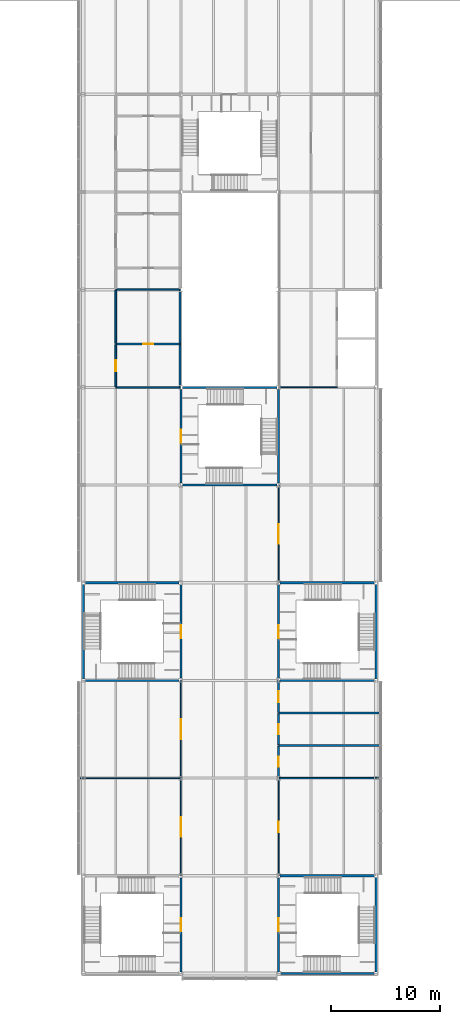
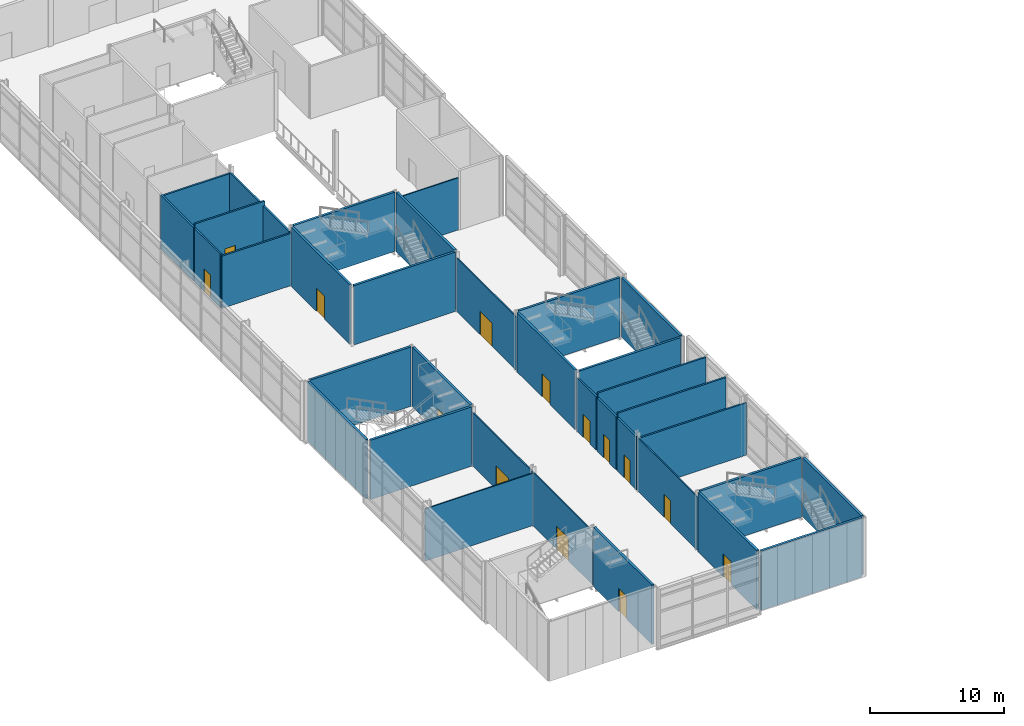
# One storey, part 33 of 52: 36 walls, 14 doors, 14 openings.
"""IFC4 building model written with IfcOpenShell, lengths in metres."""

from ifc_helpers import new_model, si_unit, direction, frame, frame_2d, origin, place, context, subcontext, project, spatial, rectangle, extrude, material, layer, layer_set, type_object, element, fill, save


model = new_model("IFC4")

# Units and contexts
model_context = context("Model", 3, precision=1e-05, world=origin(), true_north=direction((0.0, 1.0)))
body_context = subcontext(model_context, "Body", "Model", "MODEL_VIEW")
ifc_project = project(units=[si_unit("LENGTHUNIT", "METRE"), si_unit("AREAUNIT", "SQUARE_METRE"), si_unit("VOLUMEUNIT", "CUBIC_METRE"), si_unit("PLANEANGLEUNIT", "RADIAN"), si_unit("MASSUNIT", "GRAM", prefix="KILO")], contexts=[model_context])

# Site, building, storey
site_placement = place(None, origin())
site = spatial("IfcSite", under=ifc_project, at=site_placement, CompositionType="ELEMENT")
building_placement = place(site_placement, origin())
building = spatial("IfcBuilding", under=site, at=building_placement, Name="Azimuth Sports and Learning Centre", CompositionType="ELEMENT")
storey_placement = place(building_placement, frame((0.0, 0.0, 16.199951171875)))
storey = spatial("IfcBuildingStorey", under=building, at=storey_placement, Name="L03", CompositionType="ELEMENT", Elevation=16.199951171875)

# Walls
ifc_material_1 = material(Name="Gypsum board on steel studs", Category="steel")
ifc_layer_1 = layer(ifc_material_1, 0.10009765625)
ifc_layer_set_1 = layer_set([ifc_layer_1], Name="Gypsum board on steel studs")
wall_type_1 = type_object("IfcWallType", Name="Partition 100 EI 30", PredefinedType="PARTITIONING", material=ifc_layer_set_1)
wall_1_placement = place(storey_placement, frame((71.699951171875, 18.0, 0.0), z_axis=(0.0, 0.0, 1.0), x_axis=(1.0, 0.0, 0.0)))
element("IfcWall", 1, at=wall_1_placement, inside=storey, type_object=wall_type_1, Name="Partition 100 EI 30", PredefinedType="PARTITIONING", context=body_context, shape_type="SweptSolid", body=[
    extrude(rectangle(XDim=9.300048828125, YDim=0.10009765625, at=frame_2d((4.64990234375, 0.0))), origin(), (0.0, 0.0, 1.0), 4.75),
])
wall_2_placement = place(storey_placement, frame((90.0, 54.0, 0.0), z_axis=(0.0, 0.0, 1.0), x_axis=(1.0, 0.0, 0.0)))
element("IfcWall", 2, at=wall_2_placement, inside=storey, type_object=wall_type_1, Name="Partition 100 EI 30", PredefinedType="PARTITIONING", context=body_context, shape_type="SweptSolid", body=[
    extrude(rectangle(XDim=5.39990234375, YDim=0.10009765625, at=frame_2d((2.699951171875, 0.0))), origin(), (0.0, 0.0, 1.0), 4.75),
])

# Wall, opening, door
wall_3_placement = place(storey_placement, frame((81.0, 9.0, 0.0), z_axis=(0.0, 0.0, 1.0), x_axis=(0.0, 1.0, 0.0)))
wall_3 = element("IfcWall", 3, at=wall_3_placement, inside=storey, type_object=wall_type_1, Name="Partition 100 EI 30", PredefinedType="PARTITIONING", context=body_context, shape_type="SweptSolid", body=[
    extrude(rectangle(XDim=8.949951171875, YDim=0.10009765625, at=frame_2d((4.47509765625, 0.0))), origin(), (0.0, 0.0, 1.0), 4.85009765625),
])
opening_1_placement = place(wall_3_placement, frame((3.60009765625, 0.0, 0.0)))
opening_1 = element("IfcOpeningElement", 4, at=opening_1_placement, cuts=wall_3, Name="Opening D03-053", PredefinedType="OPENING", context=body_context, shape_type="SweptSolid", body=[
    extrude(rectangle(XDim=1.800048828125, YDim=2.10009765625, at=frame_2d((0.89990234375, 1.050048828125))), frame((0.0, 0.06103515625, 0.0), z_axis=(0.0, -1.0, 0.0), x_axis=(1.0, 0.0, 0.0)), (0.0, 0.0, 1.0), 0.1220703125),
])
ifc_material_2 = material(Name="Timber fire door set", Category="wood")
door_type_1 = type_object("IfcDoorType", Name="Timber door double 1800x2100 FD30S", OperationType="DOUBLE_DOOR_SINGLE_SWING", PredefinedType="DOOR", material=ifc_material_2)
door_1_placement = place(opening_1_placement, origin())
door_1 = element("IfcDoor", 5, at=door_1_placement, inside=storey, type_object=door_type_1, Name="Door D03-053", OperationType="DOUBLE_DOOR_SINGLE_SWING", OverallHeight=2.10009765625, OverallWidth=1.800048828125, PredefinedType="DOOR", context=body_context, shape_type="SweptSolid", body=[
    extrude(rectangle(XDim=1.800048828125, YDim=2.10009765625, at=frame_2d((0.89990234375, 1.050048828125))), frame((0.0, 0.02490234375, 0.0), z_axis=(0.0, -1.0, 0.0), x_axis=(1.0, 0.0, 0.0)), (0.0, 0.0, 1.0), 0.050048828125),
])
fill(opening_1, door_1)

wall_4_placement = place(storey_placement, frame((81.0, 18.050048828125, 0.0), z_axis=(0.0, 0.0, 1.0), x_axis=(0.0, 1.0, 0.0)))
wall_4 = element("IfcWall", 6, at=wall_4_placement, inside=storey, type_object=wall_type_1, Name="Partition 100 EI 30", PredefinedType="PARTITIONING", context=body_context, shape_type="SweptSolid", body=[
    extrude(rectangle(XDim=8.949951171875, YDim=0.10009765625, at=frame_2d((4.47509765625, 0.0))), origin(), (0.0, 0.0, 1.0), 4.85009765625),
])
opening_2_placement = place(wall_4_placement, frame((3.550048828125, 0.0, 0.0)))
opening_2 = element("IfcOpeningElement", 7, at=opening_2_placement, cuts=wall_4, Name="Opening D03-054", PredefinedType="OPENING", context=body_context, shape_type="SweptSolid", body=[
    extrude(rectangle(XDim=1.800048828125, YDim=2.10009765625, at=frame_2d((0.89990234375, 1.050048828125))), frame((0.0, 0.06103515625, 0.0), z_axis=(0.0, -1.0, 0.0), x_axis=(1.0, 0.0, 0.0)), (0.0, 0.0, 1.0), 0.1220703125),
])
door_2_placement = place(opening_2_placement, origin())
door_2 = element("IfcDoor", 8, at=door_2_placement, inside=storey, type_object=door_type_1, Name="Door D03-054", OperationType="DOUBLE_DOOR_SINGLE_SWING", OverallHeight=2.10009765625, OverallWidth=1.800048828125, PredefinedType="DOOR", context=body_context, shape_type="SweptSolid", body=[
    extrude(rectangle(XDim=1.800048828125, YDim=2.10009765625, at=frame_2d((0.89990234375, 1.050048828125))), frame((0.0, 0.02490234375, 0.0), z_axis=(0.0, -1.0, 0.0), x_axis=(1.0, 0.0, 0.0)), (0.0, 0.0, 1.0), 0.050048828125),
])
fill(opening_2, door_2)

wall_5_placement = place(storey_placement, frame((90.0, 9.0, 0.0), z_axis=(0.0, 0.0, 1.0), x_axis=(0.0, 1.0, 0.0)))
wall_5 = element("IfcWall", 9, at=wall_5_placement, inside=storey, type_object=wall_type_1, Name="Partition 100 EI 30", PredefinedType="PARTITIONING", context=body_context, shape_type="SweptSolid", body=[
    extrude(rectangle(XDim=8.925048828125, YDim=0.10009765625, at=frame_2d((4.46240234375, 0.0))), origin(), (0.0, 0.0, 1.0), 4.85009765625),
])
opening_3_placement = place(wall_5_placement, frame((4.0, 0.0, 0.0)))
opening_3 = element("IfcOpeningElement", 10, at=opening_3_placement, cuts=wall_5, Name="Opening D03-055", PredefinedType="OPENING", context=body_context, shape_type="SweptSolid", body=[
    extrude(rectangle(XDim=1.0, YDim=2.10009765625, at=frame_2d((0.5, 1.050048828125))), frame((0.0, 0.06103515625, 0.0), z_axis=(0.0, -1.0, 0.0), x_axis=(1.0, 0.0, 0.0)), (0.0, 0.0, 1.0), 0.1220703125),
])
ifc_material_3 = material(Name="Timber fire door set", Category="wood")
door_type_2 = type_object("IfcDoorType", Name="Timber door single 1000x2100 FD30S", OperationType="NOTDEFINED", PredefinedType="DOOR", material=ifc_material_3)
door_3_placement = place(opening_3_placement, frame((1.0, 0.0, 0.0), z_axis=(0.0, 0.0, 1.0), x_axis=(-1.0, 0.0, 0.0)))
door_3 = element("IfcDoor", 11, at=door_3_placement, inside=storey, type_object=door_type_2, Name="Door D03-055", OperationType="SINGLE_SWING_LEFT", OverallHeight=2.10009765625, OverallWidth=1.0, PredefinedType="DOOR", context=body_context, shape_type="SweptSolid", body=[
    extrude(rectangle(XDim=1.0, YDim=2.10009765625, at=frame_2d((0.5, 1.050048828125))), frame((0.0, 0.02490234375, 0.0), z_axis=(0.0, -1.0, 0.0), x_axis=(1.0, 0.0, 0.0)), (0.0, 0.0, 1.0), 0.050048828125),
])
fill(opening_3, door_3)

wall_6_placement = place(storey_placement, frame((90.0, 36.0, 0.0), z_axis=(0.0, 0.0, 1.0), x_axis=(0.0, 1.0, 0.0)))
wall_6 = element("IfcWall", 12, at=wall_6_placement, inside=storey, type_object=wall_type_1, Name="Partition 100 EI 30", PredefinedType="PARTITIONING", context=body_context, shape_type="SweptSolid", body=[
    extrude(rectangle(XDim=9.0, YDim=0.10009765625, at=frame_2d((4.5, 0.0))), origin(), (0.0, 0.0, 1.0), 4.85009765625),
])
opening_4_placement = place(wall_6_placement, frame((3.60009765625, 0.0, 0.0)))
opening_4 = element("IfcOpeningElement", 13, at=opening_4_placement, cuts=wall_6, Name="Opening D03-056", PredefinedType="OPENING", context=body_context, shape_type="SweptSolid", body=[
    extrude(rectangle(XDim=1.800048828125, YDim=2.10009765625, at=frame_2d((0.89990234375, 1.050048828125))), frame((0.0, 0.06103515625, 0.0), z_axis=(0.0, -1.0, 0.0), x_axis=(1.0, 0.0, 0.0)), (0.0, 0.0, 1.0), 0.1220703125),
])
door_4_placement = place(opening_4_placement, frame((1.800048828125, 0.0, 0.0), z_axis=(0.0, 0.0, 1.0), x_axis=(-1.0, 0.0, 0.0)))
door_4 = element("IfcDoor", 14, at=door_4_placement, inside=storey, type_object=door_type_1, Name="Door D03-056", OperationType="DOUBLE_DOOR_SINGLE_SWING", OverallHeight=2.10009765625, OverallWidth=1.800048828125, PredefinedType="DOOR", context=body_context, shape_type="SweptSolid", body=[
    extrude(rectangle(XDim=1.800048828125, YDim=2.10009765625, at=frame_2d((0.89990234375, 1.050048828125))), frame((0.0, 0.02490234375, 0.0), z_axis=(0.0, -1.0, 0.0), x_axis=(1.0, 0.0, 0.0)), (0.0, 0.0, 1.0), 0.050048828125),
])
fill(opening_4, door_4)

# Walls
ifc_material_4 = material(Name="Lightweight blockwork, rendered", Category="masonry")
ifc_layer_2 = layer(ifc_material_4, 0.14990234375)
ifc_layer_set_2 = layer_set([ifc_layer_2], Name="Lightweight blockwork, rendered")
wall_type_2 = type_object("IfcWallType", Name="Partition 150 EI 60", PredefinedType="PARTITIONING", material=ifc_layer_set_2)
wall_7_placement = place(storey_placement, frame((90.0, 18.0, 0.0), z_axis=(0.0, 0.0, 1.0), x_axis=(1.0, 0.0, 0.0)))
element("IfcWall", 15, at=wall_7_placement, inside=storey, type_object=wall_type_2, Name="Partition 150 EI 60", PredefinedType="PARTITIONING", context=body_context, shape_type="SweptSolid", body=[
    extrude(rectangle(XDim=9.300048828125, YDim=0.14990234375, at=frame_2d((4.64990234375, 0.0))), origin(), (0.0, 0.0, 1.0), 4.75),
])
for number, where, z_axis, x_axis, name in (
    (16, (90.0, 21.0, 0.0), (0.0, 0.0, 1.0), (1.0, 0.0, 0.0), "Partition 150 EI 60"),
    (17, (90.0, 24.0, 0.0), (0.0, 0.0, 1.0), (1.0, 0.0, 0.0), "Partition 150 EI 60"),
):
    element("IfcWall", number, at=place(storey_placement, frame(where, z_axis=z_axis, x_axis=x_axis)), inside=storey, type_object=wall_type_2, Name=name, PredefinedType="PARTITIONING", context=body_context, shape_type="SweptSolid", body=[
        extrude(rectangle(XDim=9.300048828125, YDim=0.14990234375, at=frame_2d((4.64990234375, 0.0))), origin(), (0.0, 0.0, 1.0), 5.25),
    ])
wall_8_placement = place(storey_placement, frame((75.0, 54.0, 0.0), z_axis=(0.0, 0.0, 1.0), x_axis=(1.0, 0.0, 0.0)))
element("IfcWall", 18, at=wall_8_placement, inside=storey, type_object=wall_type_2, Name="Partition 150 EI 60", PredefinedType="PARTITIONING", context=body_context, shape_type="SweptSolid", body=[
    extrude(rectangle(XDim=6.0, YDim=0.14990234375, at=frame_2d((3.0, 0.0))), origin(), (0.0, 0.0, 1.0), 4.75),
])

# Wall, opening, door
wall_9_placement = place(storey_placement, frame((75.0, 58.0, 0.0), z_axis=(0.0, 0.0, 1.0), x_axis=(1.0, 0.0, 0.0)))
wall_9 = element("IfcWall", 19, at=wall_9_placement, inside=storey, type_object=wall_type_2, Name="Partition 150 EI 60", PredefinedType="PARTITIONING", context=body_context, shape_type="SweptSolid", body=[
    extrude(rectangle(XDim=6.0, YDim=0.14990234375, at=frame_2d((3.0, 0.0))), origin(), (0.0, 0.0, 1.0), 5.25),
])
opening_5_placement = place(wall_9_placement, frame((2.550048828125, 0.0, 0.0)))
opening_5 = element("IfcOpeningElement", 20, at=opening_5_placement, cuts=wall_9, Name="Opening D03-058", PredefinedType="OPENING", context=body_context, shape_type="SweptSolid", body=[
    extrude(rectangle(XDim=0.89990234375, YDim=2.10009765625, at=frame_2d((0.449951171875, 1.050048828125))), frame((0.0, 0.0859375, 0.0), z_axis=(0.0, -1.0, 0.0), x_axis=(1.0, 0.0, 0.0)), (0.0, 0.0, 1.0), 0.171875),
])
ifc_material_5 = material(Name="Timber fire door set", Category="wood")
door_type_3 = type_object("IfcDoorType", Name="Timber door single 900x2100 FD60", OperationType="NOTDEFINED", PredefinedType="DOOR", material=ifc_material_5)
door_5_placement = place(opening_5_placement, frame((0.89990234375, 0.0, 0.0), z_axis=(0.0, 0.0, 1.0), x_axis=(-1.0, 0.0, 0.0)))
door_5 = element("IfcDoor", 21, at=door_5_placement, inside=storey, type_object=door_type_3, Name="Door D03-058", OperationType="SINGLE_SWING_LEFT", OverallHeight=2.10009765625, OverallWidth=0.89990234375, PredefinedType="DOOR", context=body_context, shape_type="SweptSolid", body=[
    extrude(rectangle(XDim=0.89990234375, YDim=2.10009765625, at=frame_2d((0.449951171875, 1.050048828125))), frame((0.0, 0.02490234375, 0.0), z_axis=(0.0, -1.0, 0.0), x_axis=(1.0, 0.0, 0.0)), (0.0, 0.0, 1.0), 0.050048828125),
])
fill(opening_5, door_5)

# Wall
wall_10_placement = place(storey_placement, frame((75.0, 63.0, 0.0), z_axis=(0.0, 0.0, 1.0), x_axis=(1.0, 0.0, 0.0)))
element("IfcWall", 22, at=wall_10_placement, inside=storey, type_object=wall_type_2, Name="Partition 150 EI 60", PredefinedType="PARTITIONING", context=body_context, shape_type="SweptSolid", body=[
    extrude(rectangle(XDim=6.0, YDim=0.14990234375, at=frame_2d((3.0, 0.0))), origin(), (0.0, 0.0, 1.0), 4.75),
])

# Wall, opening, door
wall_11_placement = place(storey_placement, frame((75.0, 54.074951171875, 0.0), z_axis=(0.0, 0.0, 1.0), x_axis=(0.0, 1.0, 0.0)))
wall_11 = element("IfcWall", 23, at=wall_11_placement, inside=storey, type_object=wall_type_2, Name="Partition 150 EI 60", PredefinedType="PARTITIONING", context=body_context, shape_type="SweptSolid", body=[
    extrude(rectangle(XDim=3.85009765625, YDim=0.14990234375, at=frame_2d((1.925048828125, 0.0))), origin(), (0.0, 0.0, 1.0), 4.89013671875),
])
opening_6_placement = place(wall_11_placement, frame((1.425048828125, 0.0, 0.0)))
opening_6 = element("IfcOpeningElement", 24, at=opening_6_placement, cuts=wall_11, Name="Opening D03-057", PredefinedType="OPENING", context=body_context, shape_type="SweptSolid", body=[
    extrude(rectangle(XDim=1.0, YDim=2.10009765625, at=frame_2d((0.5, 1.050048828125))), frame((0.0, 0.0859375, 0.0), z_axis=(0.0, -1.0, 0.0), x_axis=(1.0, 0.0, 0.0)), (0.0, 0.0, 1.0), 0.171875),
])
ifc_material_6 = material(Name="Timber fire door set", Category="wood")
door_type_4 = type_object("IfcDoorType", Name="Timber door single 1000x2100 FD60", OperationType="NOTDEFINED", PredefinedType="DOOR", material=ifc_material_6)
door_6_placement = place(opening_6_placement, frame((1.0, 0.0, 0.0), z_axis=(0.0, 0.0, 1.0), x_axis=(-1.0, 0.0, 0.0)))
door_6 = element("IfcDoor", 25, at=door_6_placement, inside=storey, type_object=door_type_4, Name="Door D03-057", OperationType="SINGLE_SWING_LEFT", OverallHeight=2.10009765625, OverallWidth=1.0, PredefinedType="DOOR", context=body_context, shape_type="SweptSolid", body=[
    extrude(rectangle(XDim=1.0, YDim=2.10009765625, at=frame_2d((0.5, 1.050048828125))), frame((0.0, 0.02490234375, 0.0), z_axis=(0.0, -1.0, 0.0), x_axis=(1.0, 0.0, 0.0)), (0.0, 0.0, 1.0), 0.050048828125),
])
fill(opening_6, door_6)

# Walls
wall_12_placement = place(storey_placement, frame((75.0, 58.074951171875, 0.0), z_axis=(0.0, 0.0, 1.0), x_axis=(0.0, 1.0, 0.0)))
element("IfcWall", 26, at=wall_12_placement, inside=storey, type_object=wall_type_2, Name="Partition 150 EI 60", PredefinedType="PARTITIONING", context=body_context, shape_type="SweptSolid", body=[
    extrude(rectangle(XDim=4.85009765625, YDim=0.14990234375, at=frame_2d((2.425048828125, 0.0))), origin(), (0.0, 0.0, 1.0), 4.89013671875),
])
wall_13_placement = place(storey_placement, frame((80.925048828125, 54.074951171875, 0.0), z_axis=(0.0, 0.0, 1.0), x_axis=(0.0, 1.0, 0.0)))
element("IfcWall", 27, at=wall_13_placement, inside=storey, type_object=wall_type_2, Name="Partition 150 EI 60", PredefinedType="PARTITIONING", context=body_context, shape_type="SweptSolid", body=[
    extrude(rectangle(XDim=3.85009765625, YDim=0.14990234375, at=frame_2d((1.925048828125, 0.0))), origin(), (0.0, 0.0, 1.0), 4.85009765625),
])
wall_14_placement = place(storey_placement, frame((80.925048828125, 58.074951171875, 0.0), z_axis=(0.0, 0.0, 1.0), x_axis=(0.0, 1.0, 0.0)))
element("IfcWall", 28, at=wall_14_placement, inside=storey, type_object=wall_type_2, Name="Partition 150 EI 60", PredefinedType="PARTITIONING", context=body_context, shape_type="SweptSolid", body=[
    extrude(rectangle(XDim=4.85009765625, YDim=0.14990234375, at=frame_2d((2.425048828125, 0.0))), origin(), (0.0, 0.0, 1.0), 4.85009765625),
])

# Wall, opening, door
wall_15_placement = place(storey_placement, frame((90.0, 18.074951171875, 0.0), z_axis=(0.0, 0.0, 1.0), x_axis=(0.0, 1.0, 0.0)))
wall_15 = element("IfcWall", 29, at=wall_15_placement, inside=storey, type_object=wall_type_2, Name="Partition 150 EI 60", PredefinedType="PARTITIONING", context=body_context, shape_type="SweptSolid", body=[
    extrude(rectangle(XDim=2.85009765625, YDim=0.14990234375, at=frame_2d((1.425048828125, 0.0))), origin(), (0.0, 0.0, 1.0), 4.85009765625),
])
opening_7_placement = place(wall_15_placement, frame((0.97509765625, 0.0, 0.0)))
opening_7 = element("IfcOpeningElement", 30, at=opening_7_placement, cuts=wall_15, Name="Opening D03-069", PredefinedType="OPENING", context=body_context, shape_type="SweptSolid", body=[
    extrude(rectangle(XDim=0.89990234375, YDim=2.10009765625, at=frame_2d((0.449951171875, 1.050048828125))), frame((0.0, 0.0859375, 0.0), z_axis=(0.0, -1.0, 0.0), x_axis=(1.0, 0.0, 0.0)), (0.0, 0.0, 1.0), 0.171875),
])
door_7_placement = place(opening_7_placement, frame((0.89990234375, 0.0, 0.0), z_axis=(0.0, 0.0, 1.0), x_axis=(-1.0, 0.0, 0.0)))
door_7 = element("IfcDoor", 31, at=door_7_placement, inside=storey, type_object=door_type_3, Name="Door D03-069", OperationType="SINGLE_SWING_RIGHT", OverallHeight=2.10009765625, OverallWidth=0.89990234375, PredefinedType="DOOR", context=body_context, shape_type="SweptSolid", body=[
    extrude(rectangle(XDim=0.89990234375, YDim=2.10009765625, at=frame_2d((0.449951171875, 1.050048828125))), frame((0.0, 0.02490234375, 0.0), z_axis=(0.0, -1.0, 0.0), x_axis=(1.0, 0.0, 0.0)), (0.0, 0.0, 1.0), 0.050048828125),
])
fill(opening_7, door_7)

wall_16_placement = place(storey_placement, frame((90.0, 21.074951171875, 0.0), z_axis=(0.0, 0.0, 1.0), x_axis=(0.0, 1.0, 0.0)))
wall_16 = element("IfcWall", 32, at=wall_16_placement, inside=storey, type_object=wall_type_2, Name="Partition 150 EI 60", PredefinedType="PARTITIONING", context=body_context, shape_type="SweptSolid", body=[
    extrude(rectangle(XDim=2.85009765625, YDim=0.14990234375, at=frame_2d((1.425048828125, 0.0))), origin(), (0.0, 0.0, 1.0), 4.85009765625),
])
opening_8_placement = place(wall_16_placement, frame((0.97509765625, 0.0, 0.0)))
opening_8 = element("IfcOpeningElement", 33, at=opening_8_placement, cuts=wall_16, Name="Opening D03-070", PredefinedType="OPENING", context=body_context, shape_type="SweptSolid", body=[
    extrude(rectangle(XDim=0.89990234375, YDim=2.10009765625, at=frame_2d((0.449951171875, 1.050048828125))), frame((0.0, 0.0859375, 0.0), z_axis=(0.0, -1.0, 0.0), x_axis=(1.0, 0.0, 0.0)), (0.0, 0.0, 1.0), 0.171875),
])
door_8_placement = place(opening_8_placement, frame((0.89990234375, 0.0, 0.0), z_axis=(0.0, 0.0, 1.0), x_axis=(-1.0, 0.0, 0.0)))
door_8 = element("IfcDoor", 34, at=door_8_placement, inside=storey, type_object=door_type_3, Name="Door D03-070", OperationType="SINGLE_SWING_RIGHT", OverallHeight=2.10009765625, OverallWidth=0.89990234375, PredefinedType="DOOR", context=body_context, shape_type="SweptSolid", body=[
    extrude(rectangle(XDim=0.89990234375, YDim=2.10009765625, at=frame_2d((0.449951171875, 1.050048828125))), frame((0.0, 0.02490234375, 0.0), z_axis=(0.0, -1.0, 0.0), x_axis=(1.0, 0.0, 0.0)), (0.0, 0.0, 1.0), 0.050048828125),
])
fill(opening_8, door_8)

wall_17_placement = place(storey_placement, frame((90.0, 24.074951171875, 0.0), z_axis=(0.0, 0.0, 1.0), x_axis=(0.0, 1.0, 0.0)))
wall_17 = element("IfcWall", 35, at=wall_17_placement, inside=storey, type_object=wall_type_2, Name="Partition 150 EI 60", PredefinedType="PARTITIONING", context=body_context, shape_type="SweptSolid", body=[
    extrude(rectangle(XDim=2.925048828125, YDim=0.14990234375, at=frame_2d((1.46240234375, 0.0))), origin(), (0.0, 0.0, 1.0), 4.85009765625),
])
opening_9_placement = place(wall_17_placement, frame((0.925048828125, 0.0, 0.0)))
opening_9 = element("IfcOpeningElement", 36, at=opening_9_placement, cuts=wall_17, Name="Opening D03-071", PredefinedType="OPENING", context=body_context, shape_type="SweptSolid", body=[
    extrude(rectangle(XDim=1.0, YDim=2.10009765625, at=frame_2d((0.5, 1.050048828125))), frame((0.0, 0.0859375, 0.0), z_axis=(0.0, -1.0, 0.0), x_axis=(1.0, 0.0, 0.0)), (0.0, 0.0, 1.0), 0.171875),
])
door_9_placement = place(opening_9_placement, frame((1.0, 0.0, 0.0), z_axis=(0.0, 0.0, 1.0), x_axis=(-1.0, 0.0, 0.0)))
door_9 = element("IfcDoor", 37, at=door_9_placement, inside=storey, type_object=door_type_4, Name="Door D03-071", OperationType="SINGLE_SWING_RIGHT", OverallHeight=2.10009765625, OverallWidth=1.0, PredefinedType="DOOR", context=body_context, shape_type="SweptSolid", body=[
    extrude(rectangle(XDim=1.0, YDim=2.10009765625, at=frame_2d((0.5, 1.050048828125))), frame((0.0, 0.02490234375, 0.0), z_axis=(0.0, -1.0, 0.0), x_axis=(1.0, 0.0, 0.0)), (0.0, 0.0, 1.0), 0.050048828125),
])
fill(opening_9, door_9)

ifc_material_7 = material(Name="Concrete C40/50", Category="concrete")
ifc_layer_3 = layer(ifc_material_7, 0.199951171875)
ifc_layer_set_3 = layer_set([ifc_layer_3], Name="Concrete C40/50")
wall_type_3 = type_object("IfcWallType", Name="RC cell wall 200 EI 120", PredefinedType="SHEAR", material=ifc_layer_set_3)
wall_18_placement = place(storey_placement, frame((81.0, 0.14990234375, 0.0), z_axis=(0.0, 0.0, 1.0), x_axis=(0.0, 1.0, 0.0)))
wall_18 = element("IfcWall", 38, at=wall_18_placement, inside=storey, type_object=wall_type_3, Name="CE-ST1-E-L03", PredefinedType="SHEAR", context=body_context, shape_type="SweptSolid", body=[
    extrude(rectangle(XDim=8.670166015625, YDim=0.199951171875, at=frame_2d((4.3349609375, 0.0))), origin(), (0.0, 0.0, 1.0), 5.400146484375),
])
opening_10_placement = place(wall_18_placement, frame((3.75, 0.0, 0.0)))
opening_10 = element("IfcOpeningElement", 39, at=opening_10_placement, cuts=wall_18, Name="Opening D03-013", PredefinedType="OPENING", context=body_context, shape_type="SweptSolid", body=[
    extrude(rectangle(XDim=1.199951171875, YDim=2.10009765625, at=frame_2d((0.60009765625, 1.050048828125))), frame((0.0, 0.11083984375, 0.0), z_axis=(0.0, -1.0, 0.0), x_axis=(1.0, 0.0, 0.0)), (0.0, 0.0, 1.0), 0.221923828125),
])
ifc_material_8 = material(Name="Steel", Category="steel")
door_type_5 = type_object("IfcDoorType", Name="Stair fire door 1200 x 2100", OperationType="NOTDEFINED", PredefinedType="DOOR", material=ifc_material_8)
door_10_placement = place(opening_10_placement, frame((1.199951171875, 0.0, 0.0), z_axis=(0.0, 0.0, 1.0), x_axis=(-1.0, 0.0, 0.0)))
door_10 = element("IfcDoor", 40, at=door_10_placement, inside=storey, type_object=door_type_5, Name="Stair door ST1 L03", OperationType="SINGLE_SWING_LEFT", OverallHeight=2.10009765625, OverallWidth=1.199951171875, PredefinedType="DOOR", context=body_context, shape_type="SweptSolid", body=[
    extrude(rectangle(XDim=1.199951171875, YDim=2.10009765625, at=frame_2d((0.60009765625, 1.050048828125))), frame((0.0, 0.02490234375, 0.0), z_axis=(0.0, -1.0, 0.0), x_axis=(1.0, 0.0, 0.0)), (0.0, 0.0, 1.0), 0.050048828125),
])
fill(opening_10, door_10)

# Wall
wall_19_placement = place(storey_placement, frame((90.14990234375, 9.0, 0.0), z_axis=(0.0, 0.0, 1.0), x_axis=(1.0, 0.0, 0.0)))
element("IfcWall", 41, at=wall_19_placement, inside=storey, type_object=wall_type_3, Name="CE-ST2-N-L03", PredefinedType="SHEAR", context=body_context, shape_type="SweptSolid", body=[
    extrude(rectangle(XDim=8.670166015625, YDim=0.199951171875, at=frame_2d((4.3349609375, 0.0))), origin(), (0.0, 0.0, 1.0), 5.400146484375),
])

# Wall, opening, door
wall_20_placement = place(storey_placement, frame((90.0, 0.14990234375, 0.0), z_axis=(0.0, 0.0, 1.0), x_axis=(0.0, 1.0, 0.0)))
wall_20 = element("IfcWall", 42, at=wall_20_placement, inside=storey, type_object=wall_type_3, Name="CE-ST2-W-L03", PredefinedType="SHEAR", context=body_context, shape_type="SweptSolid", body=[
    extrude(rectangle(XDim=8.670166015625, YDim=0.199951171875, at=frame_2d((4.3349609375, 0.0))), origin(), (0.0, 0.0, 1.0), 5.400146484375),
])
opening_11_placement = place(wall_20_placement, frame((3.75, 0.0, 0.0)))
opening_11 = element("IfcOpeningElement", 43, at=opening_11_placement, cuts=wall_20, Name="Opening D03-014", PredefinedType="OPENING", context=body_context, shape_type="SweptSolid", body=[
    extrude(rectangle(XDim=1.199951171875, YDim=2.10009765625, at=frame_2d((0.60009765625, 1.050048828125))), frame((0.0, 0.11083984375, 0.0), z_axis=(0.0, -1.0, 0.0), x_axis=(1.0, 0.0, 0.0)), (0.0, 0.0, 1.0), 0.221923828125),
])
door_11_placement = place(opening_11_placement, origin())
door_11 = element("IfcDoor", 44, at=door_11_placement, inside=storey, type_object=door_type_5, Name="Stair door ST2 L03", OperationType="SINGLE_SWING_RIGHT", OverallHeight=2.10009765625, OverallWidth=1.199951171875, PredefinedType="DOOR", context=body_context, shape_type="SweptSolid", body=[
    extrude(rectangle(XDim=1.199951171875, YDim=2.10009765625, at=frame_2d((0.60009765625, 1.050048828125))), frame((0.0, 0.02490234375, 0.0), z_axis=(0.0, -1.0, 0.0), x_axis=(1.0, 0.0, 0.0)), (0.0, 0.0, 1.0), 0.050048828125),
])
fill(opening_11, door_11)

# Walls
for number, where, z_axis, x_axis, name in (
    (45, (72.179931640625, 27.0, 0.0), (0.0, 0.0, 1.0), (1.0, 0.0, 0.0), "CE-ST3-S-L03"),
    (46, (72.179931640625, 36.0, 0.0), (0.0, 0.0, 1.0), (1.0, 0.0, 0.0), "CE-ST3-N-L03"),
):
    element("IfcWall", number, at=place(storey_placement, frame(where, z_axis=z_axis, x_axis=x_axis)), inside=storey, type_object=wall_type_3, Name=name, PredefinedType="SHEAR", context=body_context, shape_type="SweptSolid", body=[
        extrude(rectangle(XDim=8.670166015625, YDim=0.199951171875, at=frame_2d((4.3349609375, 0.0))), origin(), (0.0, 0.0, 1.0), 5.400146484375),
    ])

# Wall, opening, door
wall_21_placement = place(storey_placement, frame((81.0, 27.179931640625, 0.0), z_axis=(0.0, 0.0, 1.0), x_axis=(0.0, 1.0, 0.0)))
wall_21 = element("IfcWall", 47, at=wall_21_placement, inside=storey, type_object=wall_type_3, Name="CE-ST3-E-L03", PredefinedType="SHEAR", context=body_context, shape_type="SweptSolid", body=[
    extrude(rectangle(XDim=8.64013671875, YDim=0.199951171875, at=frame_2d((4.320068359375, 0.0))), origin(), (0.0, 0.0, 1.0), 5.400146484375),
])
opening_12_placement = place(wall_21_placement, frame((3.719970703125, 0.0, 0.0)))
opening_12 = element("IfcOpeningElement", 48, at=opening_12_placement, cuts=wall_21, Name="Opening D03-015", PredefinedType="OPENING", context=body_context, shape_type="SweptSolid", body=[
    extrude(rectangle(XDim=1.199951171875, YDim=2.10009765625, at=frame_2d((0.60009765625, 1.050048828125))), frame((0.0, 0.11083984375, 0.0), z_axis=(0.0, -1.0, 0.0), x_axis=(1.0, 0.0, 0.0)), (0.0, 0.0, 1.0), 0.221923828125),
])
door_12_placement = place(opening_12_placement, frame((1.199951171875, 0.0, 0.0), z_axis=(0.0, 0.0, 1.0), x_axis=(-1.0, 0.0, 0.0)))
door_12 = element("IfcDoor", 49, at=door_12_placement, inside=storey, type_object=door_type_5, Name="Stair door ST3 L03", OperationType="SINGLE_SWING_RIGHT", OverallHeight=2.10009765625, OverallWidth=1.199951171875, PredefinedType="DOOR", context=body_context, shape_type="SweptSolid", body=[
    extrude(rectangle(XDim=1.199951171875, YDim=2.10009765625, at=frame_2d((0.60009765625, 1.050048828125))), frame((0.0, 0.02490234375, 0.0), z_axis=(0.0, -1.0, 0.0), x_axis=(1.0, 0.0, 0.0)), (0.0, 0.0, 1.0), 0.050048828125),
])
fill(opening_12, door_12)

# Walls
for number, where, z_axis, x_axis, name in (
    (50, (90.14990234375, 27.0, 0.0), (0.0, 0.0, 1.0), (1.0, 0.0, 0.0), "CE-ST4-S-L03"),
    (51, (90.14990234375, 36.0, 0.0), (0.0, 0.0, 1.0), (1.0, 0.0, 0.0), "CE-ST4-N-L03"),
):
    element("IfcWall", number, at=place(storey_placement, frame(where, z_axis=z_axis, x_axis=x_axis)), inside=storey, type_object=wall_type_3, Name=name, PredefinedType="SHEAR", context=body_context, shape_type="SweptSolid", body=[
        extrude(rectangle(XDim=8.670166015625, YDim=0.199951171875, at=frame_2d((4.3349609375, 0.0))), origin(), (0.0, 0.0, 1.0), 5.400146484375),
    ])

# Wall, opening, door
wall_22_placement = place(storey_placement, frame((90.0, 27.179931640625, 0.0), z_axis=(0.0, 0.0, 1.0), x_axis=(0.0, 1.0, 0.0)))
wall_22 = element("IfcWall", 52, at=wall_22_placement, inside=storey, type_object=wall_type_3, Name="CE-ST4-W-L03", PredefinedType="SHEAR", context=body_context, shape_type="SweptSolid", body=[
    extrude(rectangle(XDim=8.64013671875, YDim=0.199951171875, at=frame_2d((4.320068359375, 0.0))), origin(), (0.0, 0.0, 1.0), 5.400146484375),
])
opening_13_placement = place(wall_22_placement, frame((3.719970703125, 0.0, 0.0)))
opening_13 = element("IfcOpeningElement", 53, at=opening_13_placement, cuts=wall_22, Name="Opening D03-016", PredefinedType="OPENING", context=body_context, shape_type="SweptSolid", body=[
    extrude(rectangle(XDim=1.199951171875, YDim=2.10009765625, at=frame_2d((0.60009765625, 1.050048828125))), frame((0.0, 0.11083984375, 0.0), z_axis=(0.0, -1.0, 0.0), x_axis=(1.0, 0.0, 0.0)), (0.0, 0.0, 1.0), 0.221923828125),
])
door_13_placement = place(opening_13_placement, origin())
door_13 = element("IfcDoor", 54, at=door_13_placement, inside=storey, type_object=door_type_5, Name="Stair door ST4 L03", OperationType="SINGLE_SWING_LEFT", OverallHeight=2.10009765625, OverallWidth=1.199951171875, PredefinedType="DOOR", context=body_context, shape_type="SweptSolid", body=[
    extrude(rectangle(XDim=1.199951171875, YDim=2.10009765625, at=frame_2d((0.60009765625, 1.050048828125))), frame((0.0, 0.02490234375, 0.0), z_axis=(0.0, -1.0, 0.0), x_axis=(1.0, 0.0, 0.0)), (0.0, 0.0, 1.0), 0.050048828125),
])
fill(opening_13, door_13)

# Walls
for number, where, z_axis, x_axis, name in (
    (55, (81.14990234375, 45.0, 0.0), (0.0, 0.0, 1.0), (1.0, 0.0, 0.0), "CE-STC-S-L03"),
    (56, (81.14990234375, 54.0, 0.0), (0.0, 0.0, 1.0), (1.0, 0.0, 0.0), "CE-STC-N-L03"),
):
    element("IfcWall", number, at=place(storey_placement, frame(where, z_axis=z_axis, x_axis=x_axis)), inside=storey, type_object=wall_type_3, Name=name, PredefinedType="SHEAR", context=body_context, shape_type="SweptSolid", body=[
        extrude(rectangle(XDim=8.7001953125, YDim=0.199951171875, at=frame_2d((4.35009765625, 0.0))), origin(), (0.0, 0.0, 1.0), 5.400146484375),
    ])

# Wall, opening, door
wall_23_placement = place(storey_placement, frame((81.0, 45.179931640625, 0.0), z_axis=(0.0, 0.0, 1.0), x_axis=(0.0, 1.0, 0.0)))
wall_23 = element("IfcWall", 57, at=wall_23_placement, inside=storey, type_object=wall_type_3, Name="CE-STC-W-L03", PredefinedType="SHEAR", context=body_context, shape_type="SweptSolid", body=[
    extrude(rectangle(XDim=8.64013671875, YDim=0.199951171875, at=frame_2d((4.320068359375, 0.0))), origin(), (0.0, 0.0, 1.0), 5.400146484375),
])
opening_14_placement = place(wall_23_placement, frame((3.719970703125, 0.0, 0.0)))
opening_14 = element("IfcOpeningElement", 58, at=opening_14_placement, cuts=wall_23, Name="Opening D03-017", PredefinedType="OPENING", context=body_context, shape_type="SweptSolid", body=[
    extrude(rectangle(XDim=1.199951171875, YDim=2.10009765625, at=frame_2d((0.60009765625, 1.050048828125))), frame((0.0, 0.11083984375, 0.0), z_axis=(0.0, -1.0, 0.0), x_axis=(1.0, 0.0, 0.0)), (0.0, 0.0, 1.0), 0.221923828125),
])
door_14_placement = place(opening_14_placement, origin())
door_14 = element("IfcDoor", 59, at=door_14_placement, inside=storey, type_object=door_type_5, Name="Stair door STC L03", OperationType="SINGLE_SWING_LEFT", OverallHeight=2.10009765625, OverallWidth=1.199951171875, PredefinedType="DOOR", context=body_context, shape_type="SweptSolid", body=[
    extrude(rectangle(XDim=1.199951171875, YDim=2.10009765625, at=frame_2d((0.60009765625, 1.050048828125))), frame((0.0, 0.02490234375, 0.0), z_axis=(0.0, -1.0, 0.0), x_axis=(1.0, 0.0, 0.0)), (0.0, 0.0, 1.0), 0.050048828125),
])
fill(opening_14, door_14)

# Walls
wall_24_placement = place(storey_placement, frame((90.0, 45.179931640625, 0.0), z_axis=(0.0, 0.0, 1.0), x_axis=(0.0, 1.0, 0.0)))
element("IfcWall", 60, at=wall_24_placement, inside=storey, type_object=wall_type_3, Name="CE-STC-E-L03", PredefinedType="SHEAR", context=body_context, shape_type="SweptSolid", body=[
    extrude(rectangle(XDim=8.64013671875, YDim=0.199951171875, at=frame_2d((4.320068359375, 0.0))), origin(), (0.0, 0.0, 1.0), 5.400146484375),
])
ifc_material_9 = material(Name="Concrete C40/50", Category="concrete")
ifc_layer_4 = layer(ifc_material_9, 0.199951171875)
ifc_layer_set_4 = layer_set([ifc_layer_4], Name="Concrete C40/50")
wall_type_4 = type_object("IfcWallType", Name="RC external cell wall 200 EI 120", PredefinedType="SHEAR", material=ifc_layer_set_4)
wall_25_placement = place(storey_placement, frame((90.179931640625, 0.0, 0.0), z_axis=(0.0, 0.0, 1.0), x_axis=(1.0, 0.0, 0.0)))
element("IfcWall", 61, at=wall_25_placement, inside=storey, type_object=wall_type_4, Name="CE-ST2-S-L03", PredefinedType="SHEAR", context=body_context, shape_type="SweptSolid", body=[
    extrude(rectangle(XDim=8.64013671875, YDim=0.199951171875, at=frame_2d((4.320068359375, 0.0))), origin(), (0.0, 0.0, 1.0), 5.400146484375),
])
for number, where, z_axis, x_axis, name in (
    (62, (99.0, 0.14990234375, 0.0), (0.0, 0.0, 1.0), (0.0, 1.0, 0.0), "CE-ST2-E-L03"),
    (63, (72.0, 27.14990234375, 0.0), (0.0, 0.0, 1.0), (0.0, 1.0, 0.0), "CE-ST3-W-L03"),
    (64, (99.0, 27.14990234375, 0.0), (0.0, 0.0, 1.0), (0.0, 1.0, 0.0), "CE-ST4-E-L03"),
):
    element("IfcWall", number, at=place(storey_placement, frame(where, z_axis=z_axis, x_axis=x_axis)), inside=storey, type_object=wall_type_4, Name=name, PredefinedType="SHEAR", context=body_context, shape_type="SweptSolid", body=[
        extrude(rectangle(XDim=8.7001953125, YDim=0.199951171875, at=frame_2d((4.35009765625, 0.0))), origin(), (0.0, 0.0, 1.0), 5.400146484375),
    ])

save(model, "model.ifc")
